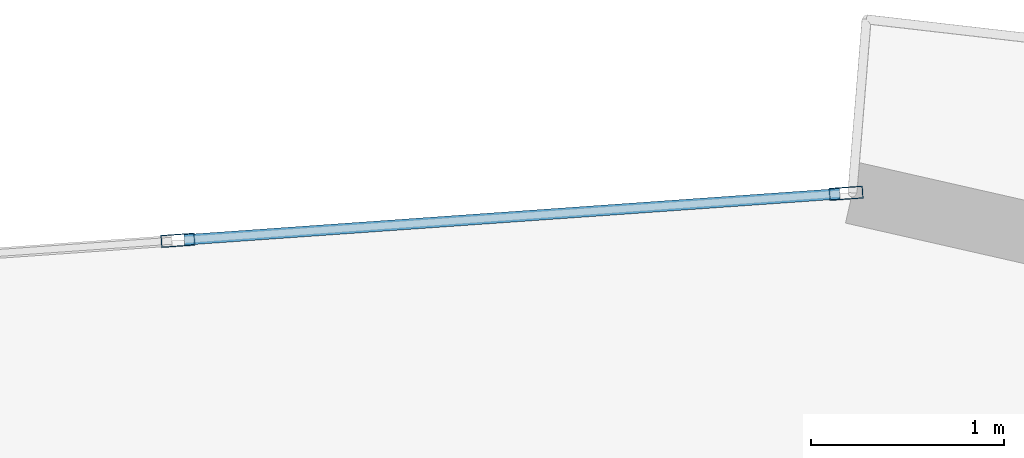
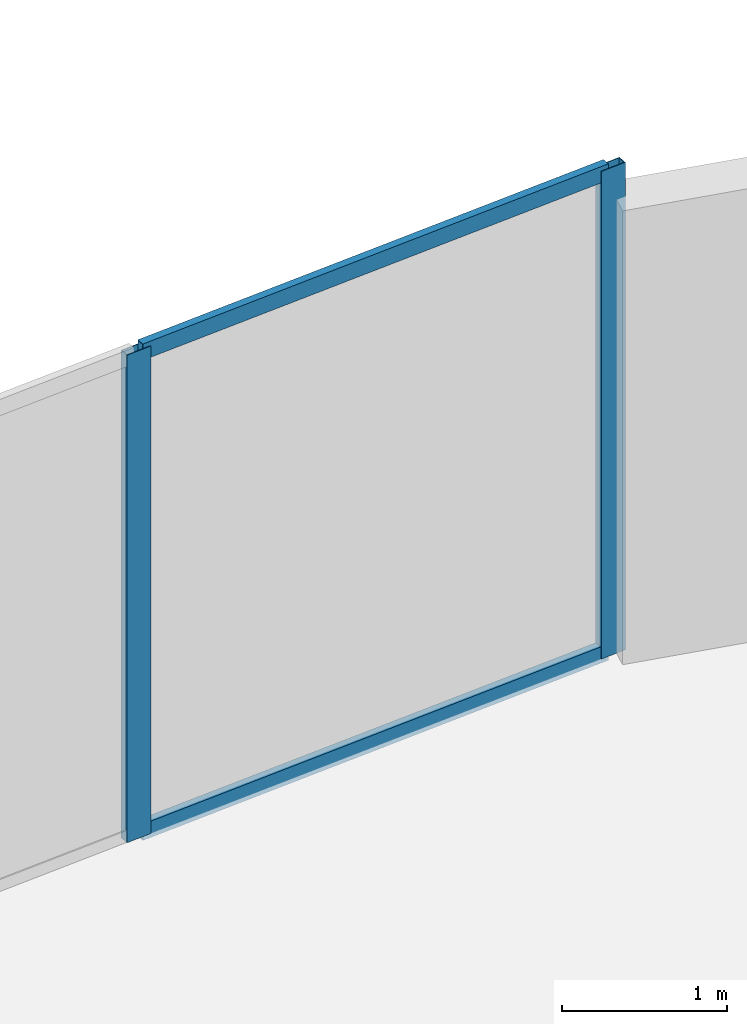
# One storey, part 18 of 25: 4 members, 1 element without a shape of its own.
"""IFC4 building model written with IfcOpenShell, lengths in metres."""

import ifcopenshell
import ifcopenshell.guid

model = None  # the IFC model being written
_history = None  # IfcOwnerHistory: only IFC2X3 demands one
_inside = {}  # id of a spatial element -> (the spatial element, [elements in it])
_under = {}  # id of a project, library or spatial element -> (it, [spatial elements below it])
_declared = {}  # id of a project -> (the project, [libraries it declares])
_typed = {}  # id of a type object -> (the type object, [elements of that type])
_made_of = {}  # id of a material, layer set ... -> (it, [elements and type objects made of it])


def new_model(schema):
    """Start an empty IFC model of exactly this schema.

    Asked for "IFC4X3", IfcOpenShell would pick the latest addendum, in which some entities
    have other attributes; the version numbers below select the first issue.
    IFC2X3 requires an IfcOwnerHistory on every rooted entity: one is made here for all.
    """
    global model, _history
    if schema == "IFC4X3":
        model = ifcopenshell.file(schema_version=(4, 3, 0, 0))
    else:
        model = ifcopenshell.file(schema=schema)
    _inside.clear()
    _under.clear()
    _declared.clear()
    _typed.clear()
    _made_of.clear()
    _history = None
    if model.schema == "IFC2X3":
        org = make("IfcOrganization", Name="unknown")
        user = make(
            "IfcPersonAndOrganization",
            ThePerson=make("IfcPerson", FamilyName="unknown"),
            TheOrganization=org,
        )
        app = make(
            "IfcApplication",
            ApplicationDeveloper=org,
            Version="unknown",
            ApplicationFullName="unknown",
            ApplicationIdentifier="unknown",
        )
        _history = make(
            "IfcOwnerHistory",
            OwningUser=user,
            OwningApplication=app,
            ChangeAction="ADDED",
            CreationDate=0,
        )
    return model


def make(cls, **values):
    """One entity of the class cls with the attributes given. An attribute that is None is left unset."""
    return model.create_entity(
        cls, **{name: value for name, value in values.items() if value is not None}
    )


def rooted(cls, **values):
    """An entity with a GlobalId (a new one), such as an element, a storey or a relation."""
    return make(cls, GlobalId=ifcopenshell.guid.new(), OwnerHistory=_history, **values)


def si_unit(unit_type, name, prefix=None):
    """IfcSIUnit, for example si_unit("LENGTHUNIT", "METRE", prefix="MILLI")."""
    return make("IfcSIUnit", UnitType=unit_type, Prefix=prefix, Name=name)


def assignment(units):
    """IfcUnitAssignment: the units of a project."""
    return None if units is None else make("IfcUnitAssignment", Units=units)


def point(xyz):
    """IfcCartesianPoint."""
    return None if xyz is None else make("IfcCartesianPoint", Coordinates=xyz)


def direction(xyz):
    """IfcDirection."""
    return None if xyz is None else make("IfcDirection", DirectionRatios=xyz)


def frame(location, z_axis=None, x_axis=None):
    """IfcAxis2Placement3D, a coordinate frame: its origin and axes. An axis left out is left unset."""
    return make(
        "IfcAxis2Placement3D",
        Location=point(location),
        Axis=direction(z_axis),
        RefDirection=direction(x_axis),
    )


def frame_2d(location, x_axis=None):
    """IfcAxis2Placement2D, a coordinate frame in the plane: its origin and x axis."""
    return make(
        "IfcAxis2Placement2D", Location=point(location), RefDirection=direction(x_axis)
    )


def origin():
    """The frame at (0, 0, 0) with its axes left unset."""
    return frame((0.0, 0.0, 0.0))


def origin_2d():
    """The frame at (0, 0) in the plane with its x axis left unset."""
    return frame_2d((0.0, 0.0))


def place(relative_to, where):
    """IfcLocalPlacement: puts the frame where relative to a parent placement (None: the world)."""
    return make(
        "IfcLocalPlacement", PlacementRelTo=relative_to, RelativePlacement=where
    )


def context(
    kind, dimensions, precision=None, world=None, true_north=None, identifier=None
):
    """IfcGeometricRepresentationContext, for example the 3D "Model" context."""
    return make(
        "IfcGeometricRepresentationContext",
        ContextIdentifier=identifier,
        ContextType=kind,
        CoordinateSpaceDimension=dimensions,
        Precision=precision,
        WorldCoordinateSystem=world,
        TrueNorth=true_north,
    )


def subcontext(parent, identifier, kind, view, scale=None):
    """IfcGeometricRepresentationSubContext, for example "Body" below "Model"."""
    return make(
        "IfcGeometricRepresentationSubContext",
        ContextIdentifier=identifier,
        ContextType=kind,
        ParentContext=parent,
        TargetScale=scale,
        TargetView=view,
    )


def project(units=None, contexts=None):
    """IfcProject with its units and contexts."""
    return rooted(
        "IfcProject",
        Name="project",
        RepresentationContexts=contexts,
        UnitsInContext=assignment(units),
    )


def spatial(cls, under=None, at=None, **own):
    """A site, building, storey or space (cls), placed at a placement, below another one or the project."""
    s = rooted(cls, ObjectPlacement=at, **own)
    if under is not None:
        _under.setdefault(under.id(), (under, []))[1].append(s)
    return s


def profile(cls, at=None, kind="AREA", **sizes):
    """A parametric profile (cls). Its sizes go by their IFC names, for example OverallWidth=200.0."""
    return make(cls, ProfileType=kind, Position=at, **sizes)


def hollow_rectangle(**sizes):
    """IfcRectangleHollowProfileDef."""
    return profile("IfcRectangleHollowProfileDef", **sizes)


def extrude(swept, where, along, depth):
    """IfcExtrudedAreaSolid: the profile swept, set in the frame where, extruded along a direction by depth."""
    return make(
        "IfcExtrudedAreaSolid",
        SweptArea=swept,
        Position=where,
        ExtrudedDirection=direction(along),
        Depth=depth,
    )


def shape(context_of_items, identifier, shape_type, items):
    """IfcShapeRepresentation: the items that make up one representation, for example the "Body"."""
    return make(
        "IfcShapeRepresentation",
        ContextOfItems=context_of_items,
        RepresentationIdentifier=identifier,
        RepresentationType=shape_type,
        Items=items,
    )


def source(mapping_origin, context_of_items, identifier, shape_type, items):
    """IfcRepresentationMap: a shape defined once, which mapped items show again and again."""
    return make(
        "IfcRepresentationMap",
        MappingOrigin=mapping_origin,
        MappedRepresentation=shape(context_of_items, identifier, shape_type, items),
    )


def transform(
    local_origin,
    x_axis=None,
    y_axis=None,
    z_axis=None,
    scale=None,
    scale2=None,
    scale3=None,
    uniform=True,
):
    """IfcCartesianTransformationOperator3D, or its non-uniform kind. x_axis, y_axis, z_axis: its Axis1, 2, 3."""
    if uniform:
        return make(
            "IfcCartesianTransformationOperator3D",
            Axis1=direction(x_axis),
            Axis2=direction(y_axis),
            LocalOrigin=point(local_origin),
            Scale=scale,
            Axis3=direction(z_axis),
        )
    return make(
        "IfcCartesianTransformationOperator3DnonUniform",
        Axis1=direction(x_axis),
        Axis2=direction(y_axis),
        LocalOrigin=point(local_origin),
        Scale=scale,
        Axis3=direction(z_axis),
        Scale2=scale2,
        Scale3=scale3,
    )


def mapped(mapping_source, mapping_target):
    """IfcMappedItem: shows the shape of a source again, moved by a transform."""
    return make(
        "IfcMappedItem", MappingSource=mapping_source, MappingTarget=mapping_target
    )


def material(Name=None, Category=None):
    """IfcMaterial."""
    return make("IfcMaterial", Name=Name, Category=Category)


def layer(
    of_material, thickness, ventilated=None, Name=None, Category=None, Priority=None
):
    """IfcMaterialLayer: one layer of a wall or slab, of a material (None: an air gap)."""
    return make(
        "IfcMaterialLayer",
        Material=of_material,
        LayerThickness=thickness,
        IsVentilated=ventilated,
        Name=Name,
        Category=Category,
        Priority=Priority,
    )


def layer_set(layers, Name=None):
    """IfcMaterialLayerSet."""
    return make("IfcMaterialLayerSet", MaterialLayers=layers, LayerSetName=Name)


def material_profile(
    of_material, cross_section, Name=None, Category=None, Priority=None
):
    """IfcMaterialProfile: a cross section and its material."""
    return make(
        "IfcMaterialProfile",
        Name=Name,
        Material=of_material,
        Profile=cross_section,
        Priority=Priority,
        Category=Category,
    )


def profile_set(profiles, Name=None, composite=None):
    """IfcMaterialProfileSet."""
    return make(
        "IfcMaterialProfileSet",
        Name=Name,
        MaterialProfiles=profiles,
        CompositeProfile=composite,
    )


def made_of(thing, what):
    """Note that an element or type object is made of a material, layer set ...; save() writes the relation."""
    if what is not None:
        _made_of.setdefault(what.id(), (what, []))[1].append(thing)
    return thing


def type_object(cls, material=None, **own):
    """A type object (cls), such as IfcWallType, which elements share."""
    return made_of(rooted(cls, **own), material)


def element(
    cls,
    number,
    at=None,
    inside=None,
    cuts=None,
    type_object=None,
    material=None,
    context=None,
    identifier="Body",
    shape_type=None,
    held_by="IfcProductDefinitionShape",
    body=None,
    shapes=None,
    **own,
):
    """One element of the class cls, such as IfcWall. Its Tag is "e" and its number.

    at: its placement. inside: the storey or other place that contains it. cuts: it is an
    opening in that element (IfcRelVoidsElement). A single representation is given by context,
    identifier, shape_type and body (its items); several are given by shapes. held_by: the class
    of the entity that holds the representations. save() writes the other relations.
    """
    e = rooted(cls, Tag="e%d" % number, ObjectPlacement=at, **own)
    if body is not None:
        shapes = [shape(context, identifier, shape_type, body)]
    if shapes is not None:
        e.Representation = make(held_by, Representations=shapes)
    if inside is not None:
        _inside.setdefault(inside.id(), (inside, []))[1].append(e)
    if cuts is not None:
        rooted(
            "IfcRelVoidsElement", RelatingBuildingElement=cuts, RelatedOpeningElement=e
        )
    if type_object is not None:
        _typed.setdefault(type_object.id(), (type_object, []))[1].append(e)
    return made_of(e, material)


def aggregate(whole, parts):
    """IfcRelAggregates: a whole, such as a stair, and the parts it consists of."""
    return rooted("IfcRelAggregates", RelatingObject=whole, RelatedObjects=parts)


def save(model, path):
    """Write the relations noted so far, then the file.

    IfcRelAggregates (storeys below a building ...), IfcRelContainedInSpatialStructure (elements
    in a storey), IfcRelDefinesByType, IfcRelAssociatesMaterial and IfcRelDeclares: one each for
    every whole, place, type object, material and project.
    """
    for whole, parts in _under.values():
        aggregate(whole, parts)
    for where, things in _inside.values():
        rooted(
            "IfcRelContainedInSpatialStructure",
            RelatedElements=things,
            RelatingStructure=where,
        )
    for kind, things in _typed.values():
        rooted("IfcRelDefinesByType", RelatedObjects=things, RelatingType=kind)
    for what, things in _made_of.values():
        rooted("IfcRelAssociatesMaterial", RelatedObjects=things, RelatingMaterial=what)
    for by, libraries in _declared.values():
        rooted("IfcRelDeclares", RelatingContext=by, RelatedDefinitions=libraries)
    model.write(path)


model = new_model("IFC4")

# Units and contexts
model_context = context("Model", 3, precision=1e-05, world=origin(), true_north=direction((0.0, 1.0)))
body_context = subcontext(model_context, "Body", "Model", "MODEL_VIEW")
ifc_project = project(units=[si_unit("LENGTHUNIT", "METRE"), si_unit("AREAUNIT", "SQUARE_METRE"), si_unit("VOLUMEUNIT", "CUBIC_METRE"), si_unit("PLANEANGLEUNIT", "RADIAN"), si_unit("MASSUNIT", "GRAM", prefix="KILO")], contexts=[model_context])

# Site, building, storey
site_placement = place(None, origin())
site = spatial("IfcSite", under=ifc_project, at=site_placement, CompositionType="ELEMENT")
building_placement = place(site_placement, origin())
building = spatial("IfcBuilding", under=site, at=building_placement, Name="Solvirekh Grand Hotel", CompositionType="ELEMENT")
storey_placement = place(building_placement, frame((0.0, 0.0, 120.60009765625)))
storey = spatial("IfcBuildingStorey", under=building, at=storey_placement, Name="L30", CompositionType="ELEMENT", Elevation=120.60009765625)

# Curtain wall, members
ifc_material = material(Name="Anodized Bronze Aluminium 6063-T6", Category="aluminium")
ifc_layer = layer(ifc_material, 0.175048828125)
ifc_layer_set = layer_set([ifc_layer], Name="Anodized Bronze Aluminium 6063-T6")
curtain_wall_type = type_object("IfcCurtainWallType", Name="CW_Sys3_MidZoneFlushBronzeCW", PredefinedType="NOTDEFINED", material=ifc_layer_set)
curtain_wall_placement = place(storey_placement, origin())
curtain_wall = element("IfcCurtainWall", 1, at=curtain_wall_placement, inside=storey, type_object=curtain_wall_type, Name="L30 unitised bronze-glass curtain wall CW-L30-C08", PredefinedType="NOTDEFINED")
ifc_material_profile_1 = material_profile(ifc_material, hollow_rectangle(XDim=0.06494140625, YDim=0.175048828125, WallThickness=0.0048828125, at=origin_2d()), Name="ALU RHS 175X65X5")
ifc_profile_set_1 = profile_set([ifc_material_profile_1], Name="Anodized Bronze Aluminium 6063-T6")
member_type_1 = type_object("IfcMemberType", Name="CWMullion_Sys3", PredefinedType="MULLION", material=ifc_profile_set_1)
shared_shape_1 = source(origin(), body_context, "Body", "SweptSolid", [
    extrude(hollow_rectangle(XDim=0.06494140625, YDim=0.175048828125, WallThickness=0.0048828125, at=origin_2d()), origin(), (0.0, 0.0, 1.0), 3.599853515625),
])
member_1_placement = place(storey_placement, frame((-3.1455078125, 21.624755859375, 0.0), z_axis=(0.0, 0.0, 1.0), x_axis=(0.070250562862, -0.99752937722, 0.0)))
member_1 = element("IfcMember", 2, at=member_1_placement, type_object=member_type_1, Name="U03 mullion 1", PredefinedType="MULLION", context=body_context, shape_type="MappedRepresentation", body=[
    mapped(shared_shape_1, transform((0.0, 0.0, 0.0), x_axis=(1.0, 0.0, 0.0), y_axis=(0.0, 1.0, 0.0), z_axis=(0.0, 0.0, 1.0), scale=1.0)),
])
member_2_placement = place(storey_placement, frame((-6.59912109375, 21.381591796875, 0.0), z_axis=(0.0, 0.0, 1.0), x_axis=(0.070250562862, -0.99752937722, 0.0)))
member_2 = element("IfcMember", 3, at=member_2_placement, type_object=member_type_1, Name="U03 mullion 2", PredefinedType="MULLION", context=body_context, shape_type="MappedRepresentation", body=[
    mapped(shared_shape_1, transform((0.0, 0.0, 0.0), x_axis=(1.0, 0.0, 0.0), y_axis=(0.0, 1.0, 0.0), z_axis=(0.0, 0.0, 1.0), scale=1.0)),
])
ifc_material_profile_2 = material_profile(ifc_material, hollow_rectangle(XDim=0.054931640625, YDim=0.1201171875, WallThickness=0.00390625, at=origin_2d()), Name="ALU RHS 120X55X4")
ifc_profile_set_2 = profile_set([ifc_material_profile_2], Name="Anodized Bronze Aluminium 6063-T6")
member_type_2 = type_object("IfcMemberType", Name="CWTransom_Sys3", PredefinedType="USERDEFINED", material=ifc_profile_set_2)
shared_shape_2 = source(origin(), body_context, "Body", "SweptSolid", [
    extrude(hollow_rectangle(XDim=0.054931640625, YDim=0.1201171875, WallThickness=0.00390625, at=origin_2d()), origin(), (0.0, 0.0, 1.0), 3.397216796875),
])
member_3_placement = place(storey_placement, frame((-3.177734375, 21.622314453125, 0.02734375), z_axis=(-0.997532212924, -0.070210285428, 0.0), x_axis=(0.070210285428, -0.997532212924, 0.0)))
member_3 = element("IfcMember", 4, at=member_3_placement, type_object=member_type_2, Name="U03 transom 1.1", ObjectType="TRANSOM", PredefinedType="USERDEFINED", context=body_context, shape_type="MappedRepresentation", body=[
    mapped(shared_shape_2, transform((0.0, 0.0, 0.0), x_axis=(1.0, 0.0, 0.0), y_axis=(0.0, 1.0, 0.0), z_axis=(0.0, 0.0, 1.0), scale=1.0)),
])
member_4_placement = place(storey_placement, frame((-3.177734375, 21.622314453125, 3.572509765625), z_axis=(-0.997532212924, -0.070210285428, 0.0), x_axis=(0.070210285428, -0.997532212924, 0.0)))
member_4 = element("IfcMember", 5, at=member_4_placement, type_object=member_type_2, Name="U03 transom 1.2", ObjectType="TRANSOM", PredefinedType="USERDEFINED", context=body_context, shape_type="MappedRepresentation", body=[
    mapped(shared_shape_2, transform((0.0, 0.0, 0.0), x_axis=(1.0, 0.0, 0.0), y_axis=(0.0, 1.0, 0.0), z_axis=(0.0, 0.0, 1.0), scale=1.0)),
])
aggregate(curtain_wall, [member_1, member_2, member_3, member_4])

save(model, "model.ifc")
